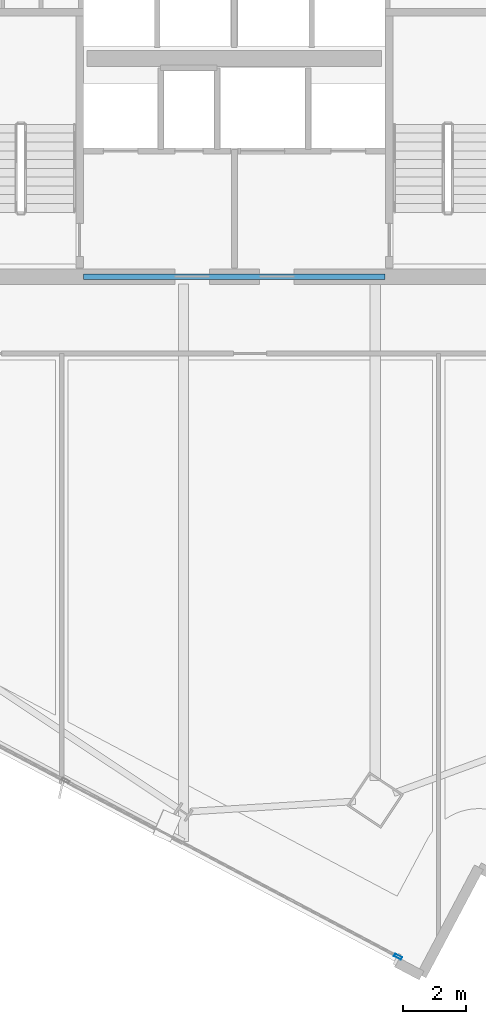
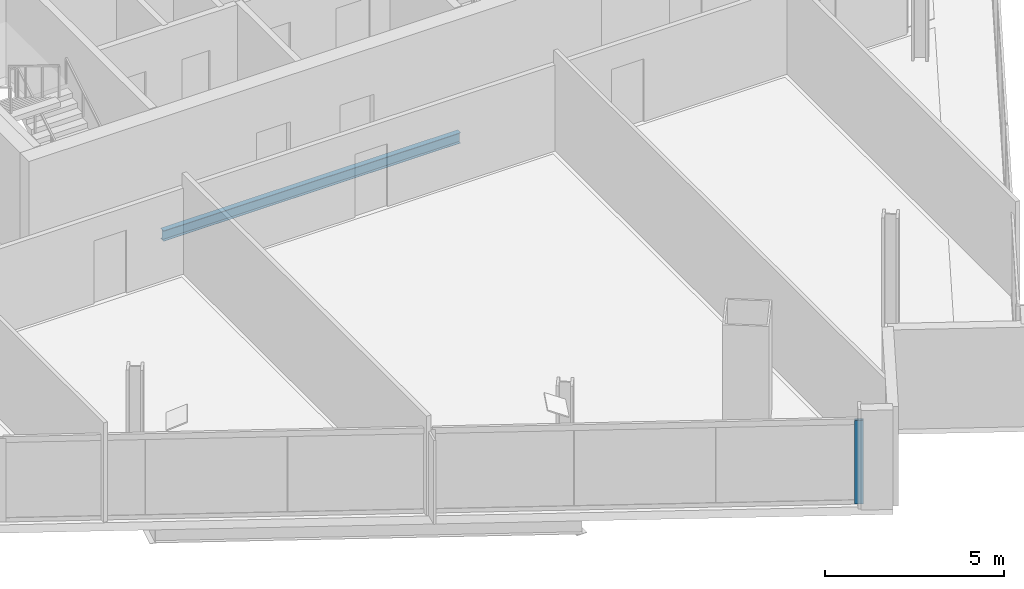
# One storey, part 7 of 28: 1 beam, 1 member, 1 element without a shape of its own.
"""IFC4 building model written with IfcOpenShell, lengths in metres."""

from ifc_helpers import new_model, si_unit, direction, frame, origin, origin_2d, place, context, subcontext, project, spatial, hollow_rectangle, i_section, extrude, material, material_profile, profile_set, type_object, element, aggregate, save


model = new_model("IFC4")

# Units and contexts
model_context = context("Model", 3, precision=1e-05, world=origin(), true_north=direction((0.0, 1.0)))
body_context = subcontext(model_context, "Body", "Model", "MODEL_VIEW")
ifc_project = project(units=[si_unit("LENGTHUNIT", "METRE"), si_unit("AREAUNIT", "SQUARE_METRE"), si_unit("VOLUMEUNIT", "CUBIC_METRE"), si_unit("PLANEANGLEUNIT", "RADIAN"), si_unit("MASSUNIT", "GRAM", prefix="KILO")], contexts=[model_context])

# Site, building, storey
site_placement = place(None, origin())
site = spatial("IfcSite", under=ifc_project, at=site_placement, CompositionType="ELEMENT")
building_placement = place(site_placement, origin())
building = spatial("IfcBuilding", under=site, at=building_placement, Name="Haldenkirk Collegiate Tower", CompositionType="ELEMENT")
storey_placement = place(building_placement, frame((0.0, 0.0, 235.949951171875)))
storey = spatial("IfcBuildingStorey", under=building, at=storey_placement, Name="L59", CompositionType="ELEMENT", Elevation=235.949951171875)

# Beam
ifc_material_1 = material(Name="Steel ASTM A992 Grade 50", Category="steel")
ifc_material_profile_1 = material_profile(ifc_material_1, i_section(OverallWidth=0.1708984375, OverallDepth=0.35595703125, WebThickness=0.007080078125, FlangeThickness=0.01171875, at=origin_2d()), Name="W14X34")
ifc_profile_set_1 = profile_set([ifc_material_profile_1], Name="Steel ASTM A992 Grade 50")
beam_type = type_object("IfcBeamType", Name="BM-LINTEL-W14X34", PredefinedType="LINTEL", material=ifc_profile_set_1)
beam_placement = place(storey_placement, frame((31.199951171875, 18.0, -0.4580078125), z_axis=(1.0, 0.0, 0.0), x_axis=(0.0, 1.0, 0.0)))
element("IfcBeam", 1, at=beam_placement, inside=storey, type_object=beam_type, Name="L59 south core coupling lintel", PredefinedType="LINTEL", context=body_context, shape_type="SweptSolid", body=[
    extrude(i_section(OverallWidth=0.1708984375, OverallDepth=0.35595703125, WebThickness=0.007080078125, FlangeThickness=0.01171875, at=origin_2d()), origin(), (0.0, 0.0, 1.0), 9.60009765625),
])

# Curtain wall, member
ifc_material_2 = material(Name="Anodised architectural bronze aluminium", Category="aluminium")
curtain_wall_type = type_object("IfcCurtainWallType", Name="CW-SYS1B-CONVEX-HI", PredefinedType="USERDEFINED", material=ifc_material_2)
curtain_wall_placement = place(storey_placement, origin())
curtain_wall = element("IfcCurtainWall", 2, at=curtain_wall_placement, inside=storey, type_object=curtain_wall_type, Name="L59 Upper tower high-wind convex bronze unitised curtain wall", ObjectType="UNITISED CURTAIN WALL", PredefinedType="USERDEFINED")
ifc_material_profile_2 = material_profile(ifc_material_2, hollow_rectangle(XDim=0.0849609375, YDim=0.25, WallThickness=0.0048828125, at=origin_2d()), Name="CW-MUL-1B")
ifc_profile_set_2 = profile_set([ifc_material_profile_2], Name="Anodised architectural bronze aluminium")
member_type = type_object("IfcMemberType", Name="CW-MUL-1B", PredefinedType="MULLION", material=ifc_profile_set_2)
member_placement = place(storey_placement, frame((41.21142578125, -3.655517578125, 0.0), z_axis=(0.0, 0.0, 1.0), x_axis=(-0.467931023072, -0.883764990055, 0.0)))
member = element("IfcMember", 3, at=member_placement, type_object=member_type, Name="CW-1B mullion 1", PredefinedType="MULLION", context=body_context, shape_type="SweptSolid", body=[
    extrude(hollow_rectangle(XDim=0.0849609375, YDim=0.25, WallThickness=0.0048828125, at=origin_2d()), origin(), (0.0, 0.0, 1.0), 2.858154296875),
])
aggregate(curtain_wall, [member])

save(model, "model.ifc")
